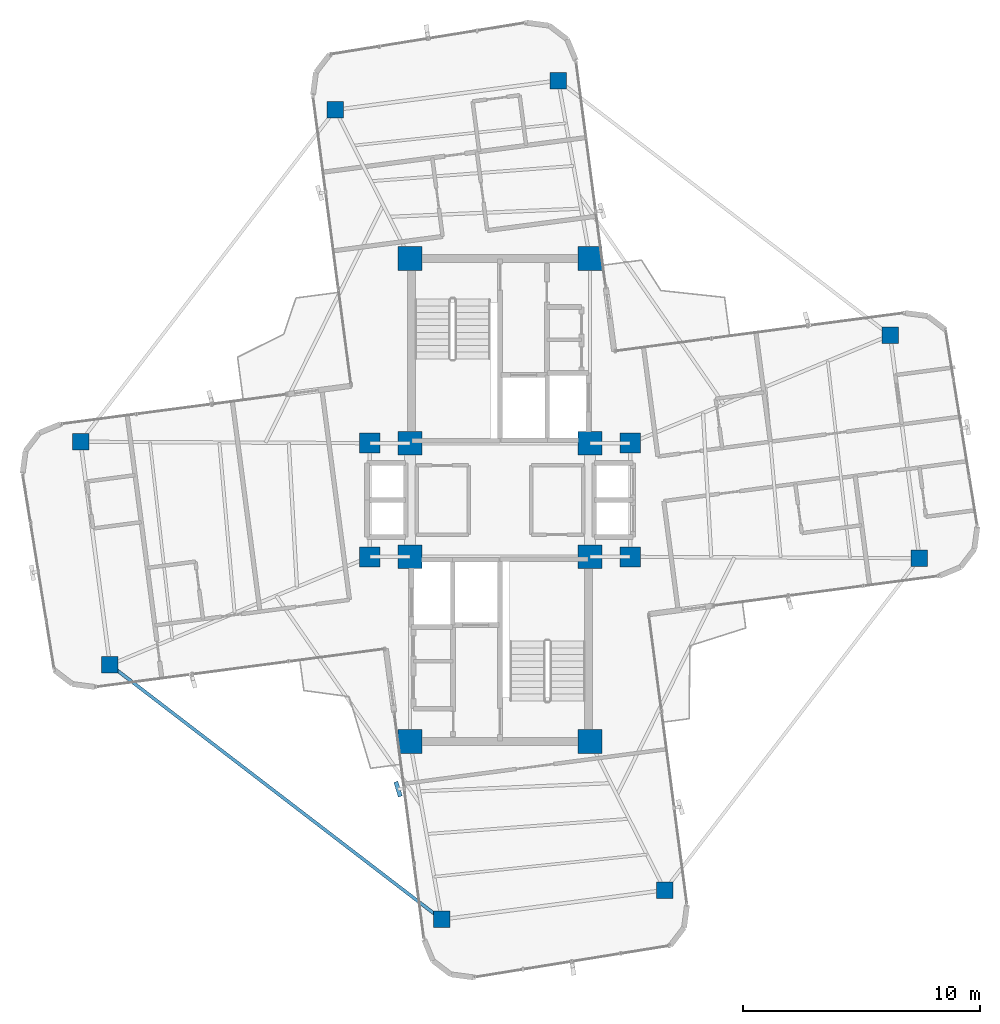
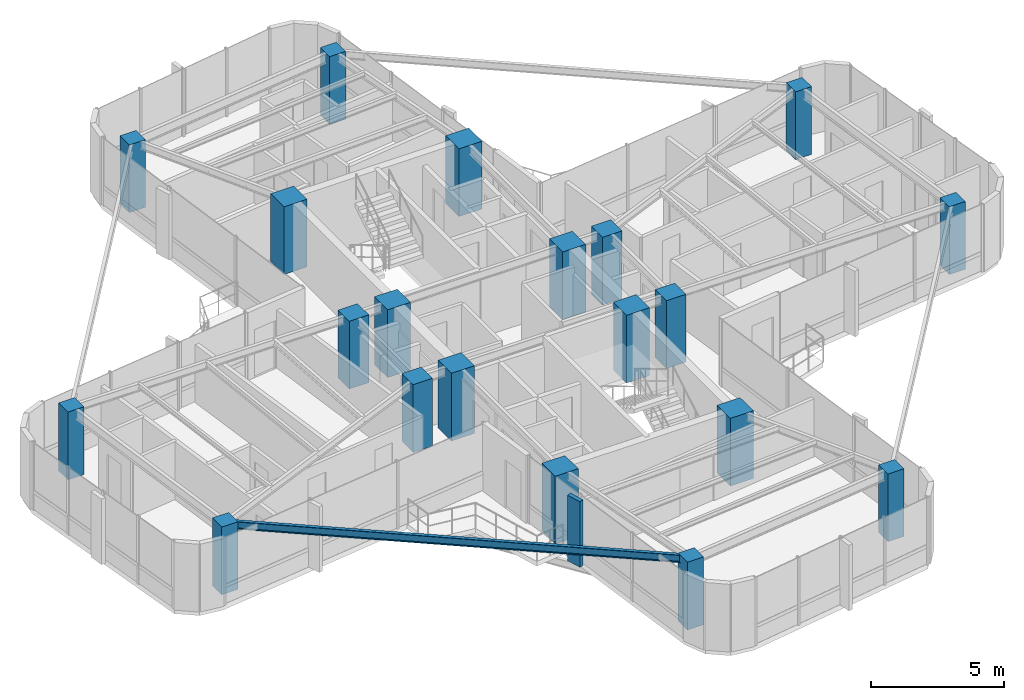
# One storey, part 1 of 22: 20 columns, 1 beam, 1 member, 1 element without a shape of its own.
"""IFC4 building model written with IfcOpenShell, lengths in metres."""

from ifc_helpers import new_model, si_unit, direction, frame, origin, origin_2d, place, context, subcontext, project, spatial, rectangle, i_section, extrude, source, transform, mapped, material, material_profile, profile_set, type_object, element, aggregate, save


model = new_model("IFC4")

# Units and contexts
model_context = context("Model", 3, precision=1e-05, world=origin(), true_north=direction((0.0, 1.0)))
body_context = subcontext(model_context, "Body", "Model", "MODEL_VIEW")
ifc_project = project(units=[si_unit("LENGTHUNIT", "METRE"), si_unit("AREAUNIT", "SQUARE_METRE"), si_unit("VOLUMEUNIT", "CUBIC_METRE"), si_unit("PLANEANGLEUNIT", "RADIAN"), si_unit("MASSUNIT", "GRAM", prefix="KILO")], contexts=[model_context])

# Site, building, storey
site_placement = place(None, origin())
site = spatial("IfcSite", under=ifc_project, at=site_placement, CompositionType="ELEMENT")
building_placement = place(site_placement, origin())
building = spatial("IfcBuilding", under=site, at=building_placement, Name="Sahyath Konkavel Grand Hotel", CompositionType="ELEMENT")
storey_placement = place(building_placement, frame((0.0, 0.0, 272.449951171875)))
storey = spatial("IfcBuildingStorey", under=building, at=storey_placement, Name="L76", CompositionType="ELEMENT", Elevation=272.449951171875)

# Columns
ifc_material_1 = material(Name="Concrete C50/60", Category="concrete")
ifc_material_profile_1 = material_profile(ifc_material_1, rectangle(XDim=1.0, YDim=1.0, at=origin_2d()), Name="RC 1000x1000")
ifc_profile_set_1 = profile_set([ifc_material_profile_1], Name="Concrete C50/60")
column_type_1 = type_object("IfcColumnType", Name="COL-RC1000", PredefinedType="COLUMN", material=ifc_profile_set_1)
shared_shape_1 = source(origin(), body_context, "Body", "SweptSolid", [
    extrude(rectangle(XDim=1.0, YDim=1.0, at=origin_2d()), origin(), (0.0, 0.0, 1.0), 3.110107421875),
])
for number, where, z_axis, x_axis, name in (
    (1, (-3.800048828125, 2.39990234375, 0.0), (0.0, 0.0, 1.0), (1.0, 0.0, 0.0), "L76 Core Boundary Column NC-SW"),
    (2, (3.800048828125, 2.39990234375, 0.0), (0.0, 0.0, 1.0), (1.0, 0.0, 0.0), "L76 Core Boundary Column NC-SE"),
    (3, (-3.800048828125, 10.199951171875, 0.0), (0.0, 0.0, 1.0), (1.0, 0.0, 0.0), "L76 Core Boundary Column NC-NW"),
    (4, (3.800048828125, 10.199951171875, 0.0), (0.0, 0.0, 1.0), (1.0, 0.0, 0.0), "L76 Core Boundary Column NC-NE"),
    (5, (-3.800048828125, -2.39990234375, 0.0), (0.0, 0.0, 1.0), (1.0, 0.0, 0.0), "L76 Core Boundary Column SC-NW"),
    (6, (3.800048828125, -2.39990234375, 0.0), (0.0, 0.0, 1.0), (1.0, 0.0, 0.0), "L76 Core Boundary Column SC-NE"),
    (7, (-3.800048828125, -10.199951171875, 0.0), (0.0, 0.0, 1.0), (1.0, 0.0, 0.0), "L76 Core Boundary Column SC-SW"),
    (8, (3.800048828125, -10.199951171875, 0.0), (0.0, 0.0, 1.0), (1.0, 0.0, 0.0), "L76 Core Boundary Column SC-SE"),
):
    element("IfcColumn", number, at=place(storey_placement, frame(where, z_axis=z_axis, x_axis=x_axis)), inside=storey, type_object=column_type_1, Name=name, PredefinedType="COLUMN", context=body_context, shape_type="MappedRepresentation", body=[
        mapped(shared_shape_1, transform((0.0, 0.0, 0.0), scale=1.0)),
    ])
ifc_material_2 = material(Name="Concrete C40/50", Category="concrete")
ifc_material_profile_2 = material_profile(ifc_material_2, rectangle(XDim=0.85009765625, YDim=0.85009765625, at=origin_2d()), Name="RC 850x850")
ifc_profile_set_2 = profile_set([ifc_material_profile_2], Name="Concrete C40/50")
column_type_2 = type_object("IfcColumnType", Name="COL-RC850", PredefinedType="COLUMN", material=ifc_profile_set_2)
shared_shape_2 = source(origin(), body_context, "Body", "SweptSolid", [
    extrude(rectangle(XDim=0.85009765625, YDim=0.85009765625, at=origin_2d()), origin(), (0.0, 0.0, 1.0), 3.110107421875),
])
for number, where, z_axis, x_axis, name in (
    (9, (5.5, 2.39990234375, 0.0), (0.0, 0.0, 1.0), (1.0, 0.0, 0.0), "L76 Central Spine Column HB-NE"),
    (10, (-5.5, 2.39990234375, 0.0), (0.0, 0.0, 1.0), (1.0, 0.0, 0.0), "L76 Central Spine Column HB-NW"),
    (11, (5.5, -2.39990234375, 0.0), (0.0, 0.0, 1.0), (1.0, 0.0, 0.0), "L76 Central Spine Column HB-SE"),
    (12, (-5.5, -2.39990234375, 0.0), (0.0, 0.0, 1.0), (1.0, 0.0, 0.0), "L76 Central Spine Column HB-SW"),
):
    element("IfcColumn", number, at=place(storey_placement, frame(where, z_axis=z_axis, x_axis=x_axis)), inside=storey, type_object=column_type_2, Name=name, PredefinedType="COLUMN", context=body_context, shape_type="MappedRepresentation", body=[
        mapped(shared_shape_2, transform((0.0, 0.0, 0.0), scale=1.0)),
    ])
ifc_material_profile_3 = material_profile(ifc_material_2, rectangle(XDim=0.699951171875, YDim=0.699951171875, at=origin_2d()), Name="RC 700x700")
ifc_profile_set_3 = profile_set([ifc_material_profile_3], Name="Concrete C40/50")
column_type_3 = type_object("IfcColumnType", Name="COL-RC700", PredefinedType="COLUMN", material=ifc_profile_set_3)
shared_shape_3 = source(origin(), body_context, "Body", "SweptSolid", [
    extrude(rectangle(XDim=0.699951171875, YDim=0.699951171875, at=origin_2d()), origin(), (0.0, 0.0, 1.0), 3.110107421875),
])
for number, where, z_axis, x_axis, name in (
    (13, (17.71240234375, -2.458984375, 0.0), (0.0, 0.0, 1.0), (1.0, 0.0, 0.0), "L76 Cruciform Wing Column WC-EA"),
    (14, (16.472412109375, 6.959716796875, 0.0), (0.0, 0.0, 1.0), (1.0, 0.0, 0.0), "L76 Cruciform Wing Column WC-EB"),
    (15, (2.458984375, 17.71240234375, 0.0), (0.0, 0.0, 1.0), (1.0, 0.0, 0.0), "L76 Cruciform Wing Column WC-NA"),
    (16, (-6.959716796875, 16.472412109375, 0.0), (0.0, 0.0, 1.0), (1.0, 0.0, 0.0), "L76 Cruciform Wing Column WC-NB"),
    (17, (-17.71240234375, 2.458984375, 0.0), (0.0, 0.0, 1.0), (1.0, 0.0, 0.0), "L76 Cruciform Wing Column WC-WA"),
    (18, (-16.472412109375, -6.959716796875, 0.0), (0.0, 0.0, 1.0), (1.0, 0.0, 0.0), "L76 Cruciform Wing Column WC-WB"),
    (19, (-2.458984375, -17.71240234375, 0.0), (0.0, 0.0, 1.0), (1.0, 0.0, 0.0), "L76 Cruciform Wing Column WC-SA"),
    (20, (6.959716796875, -16.472412109375, 0.0), (0.0, 0.0, 1.0), (1.0, 0.0, 0.0), "L76 Cruciform Wing Column WC-SB"),
):
    element("IfcColumn", number, at=place(storey_placement, frame(where, z_axis=z_axis, x_axis=x_axis)), inside=storey, type_object=column_type_3, Name=name, PredefinedType="COLUMN", context=body_context, shape_type="MappedRepresentation", body=[
        mapped(shared_shape_3, transform((0.0, 0.0, 0.0), scale=1.0)),
    ])

# Beam
ifc_material_3 = material(Name="Steel E350", Category="steel")
ifc_material_profile_4 = material_profile(ifc_material_3, i_section(OverallWidth=0.139892578125, OverallDepth=0.35009765625, WebThickness=0.008056640625, FlangeThickness=0.01416015625, FilletRadius=0.013916015625, at=origin_2d()), Name="ISMB 350")
ifc_profile_set_4 = profile_set([ifc_material_profile_4], Name="Steel E350")
beam_type = type_object("IfcBeamType", Name="BM-ISMB350", PredefinedType="BEAM", material=ifc_profile_set_4)
shared_shape_4 = source(origin(), body_context, "Body", "SweptSolid", [
    extrude(i_section(OverallWidth=0.139892578125, OverallDepth=0.35009765625, WebThickness=0.008056640625, FlangeThickness=0.01416015625, FilletRadius=0.013916015625, at=origin_2d()), origin(), (0.0, 0.0, 1.0), 17.663330078125),
])
beam_placement = place(storey_placement, frame((-16.472412109375, -6.959716796875, 2.93505859375), z_axis=(0.793358692504, -0.608754453805, 0.0), x_axis=(0.608754453805, 0.793358692504, 0.0)))
element("IfcBeam", 21, at=beam_placement, inside=storey, type_object=beam_type, Name="L76 Re-Entrant Tie Beam SW", PredefinedType="BEAM", context=body_context, shape_type="MappedRepresentation", body=[
    mapped(shared_shape_4, transform((0.0, 0.0, 0.0), scale=1.0)),
])

# Curtain wall, member
ifc_material_4 = material(Name="Anodised Bronze Aluminium & Low-E Glazing", Category="aluminium")
curtain_wall_type = type_object("IfcCurtainWallType", Name="CW-ZONE4", PredefinedType="NOTDEFINED", material=ifc_material_4)
curtain_wall_placement = place(storey_placement, origin())
curtain_wall = element("IfcCurtainWall", 22, at=curtain_wall_placement, inside=storey, type_object=curtain_wall_type, Name="L76 Unitised Curtain Wall F24", PredefinedType="NOTDEFINED")
ifc_material_5 = material(Name="Warm Buff Sandstone Cladding on Concrete C50/60", Category="masonry")
ifc_material_profile_5 = material_profile(ifc_material_5, rectangle(XDim=0.179931640625, YDim=0.64990234375, at=origin_2d()), Name="FIN 180x650")
ifc_profile_set_5 = profile_set([ifc_material_profile_5], Name="Warm Buff Sandstone Cladding on Concrete C50/60")
member_type = type_object("IfcMemberType", Name="FIN-SANDSTONE-650", PredefinedType="MULLION", material=ifc_profile_set_5)
shared_shape_5 = source(origin(), body_context, "Body", "SweptSolid", [
    extrude(rectangle(XDim=0.179931640625, YDim=0.64990234375, at=origin_2d()), origin(), (0.0, 0.0, 1.0), 3.010009765625),
])
member_placement = place(storey_placement, frame((-4.30322265625, -12.20947265625, 0.050048828125), z_axis=(0.0, 0.0, 1.0), x_axis=(0.956151539415, 0.292872384621, 0.0)))
member = element("IfcMember", 23, at=member_placement, type_object=member_type, Name="L76 Sandstone Vertical Solar Fin FIN F24-1", PredefinedType="MULLION", context=body_context, shape_type="MappedRepresentation", body=[
    mapped(shared_shape_5, transform((0.0, 0.0, 0.0), scale=1.0)),
])
aggregate(curtain_wall, [member])

save(model, "model.ifc")
